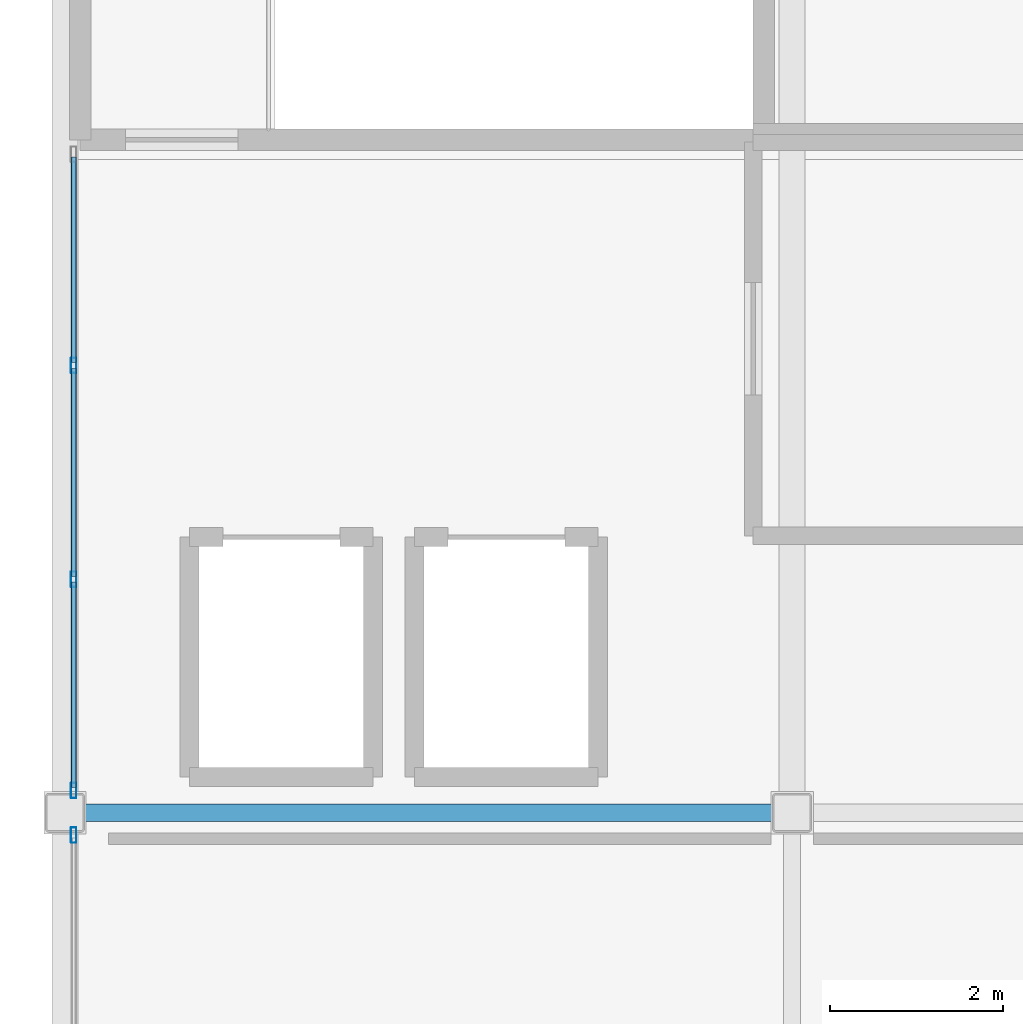
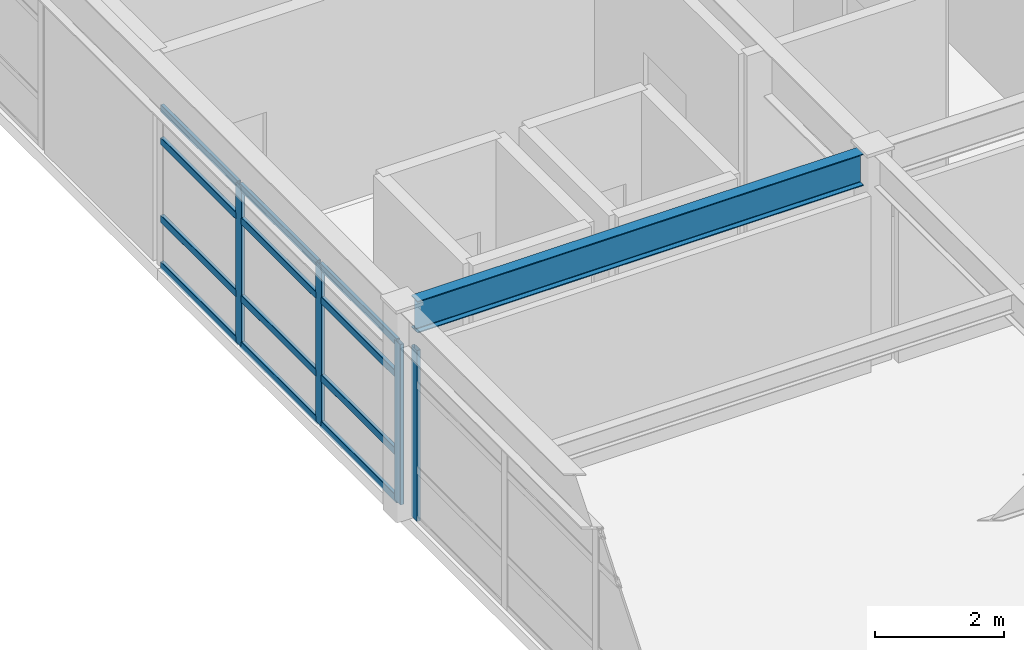
# One storey, part 11 of 34: 16 members, 1 beam, 2 elements without a shape of their own.
"""IFC4 building model written with IfcOpenShell, lengths in metres."""

import ifcopenshell
import ifcopenshell.guid

model = None  # the IFC model being written
_history = None  # IfcOwnerHistory: only IFC2X3 demands one
_inside = {}  # id of a spatial element -> (the spatial element, [elements in it])
_under = {}  # id of a project, library or spatial element -> (it, [spatial elements below it])
_declared = {}  # id of a project -> (the project, [libraries it declares])
_typed = {}  # id of a type object -> (the type object, [elements of that type])
_made_of = {}  # id of a material, layer set ... -> (it, [elements and type objects made of it])


def new_model(schema):
    """Start an empty IFC model of exactly this schema.

    Asked for "IFC4X3", IfcOpenShell would pick the latest addendum, in which some entities
    have other attributes; the version numbers below select the first issue.
    IFC2X3 requires an IfcOwnerHistory on every rooted entity: one is made here for all.
    """
    global model, _history
    if schema == "IFC4X3":
        model = ifcopenshell.file(schema_version=(4, 3, 0, 0))
    else:
        model = ifcopenshell.file(schema=schema)
    _inside.clear()
    _under.clear()
    _declared.clear()
    _typed.clear()
    _made_of.clear()
    _history = None
    if model.schema == "IFC2X3":
        org = make("IfcOrganization", Name="unknown")
        user = make(
            "IfcPersonAndOrganization",
            ThePerson=make("IfcPerson", FamilyName="unknown"),
            TheOrganization=org,
        )
        app = make(
            "IfcApplication",
            ApplicationDeveloper=org,
            Version="unknown",
            ApplicationFullName="unknown",
            ApplicationIdentifier="unknown",
        )
        _history = make(
            "IfcOwnerHistory",
            OwningUser=user,
            OwningApplication=app,
            ChangeAction="ADDED",
            CreationDate=0,
        )
    return model


def make(cls, **values):
    """One entity of the class cls with the attributes given. An attribute that is None is left unset."""
    return model.create_entity(
        cls, **{name: value for name, value in values.items() if value is not None}
    )


def rooted(cls, **values):
    """An entity with a GlobalId (a new one), such as an element, a storey or a relation."""
    return make(cls, GlobalId=ifcopenshell.guid.new(), OwnerHistory=_history, **values)


def si_unit(unit_type, name, prefix=None):
    """IfcSIUnit, for example si_unit("LENGTHUNIT", "METRE", prefix="MILLI")."""
    return make("IfcSIUnit", UnitType=unit_type, Prefix=prefix, Name=name)


def assignment(units):
    """IfcUnitAssignment: the units of a project."""
    return None if units is None else make("IfcUnitAssignment", Units=units)


def point(xyz):
    """IfcCartesianPoint."""
    return None if xyz is None else make("IfcCartesianPoint", Coordinates=xyz)


def direction(xyz):
    """IfcDirection."""
    return None if xyz is None else make("IfcDirection", DirectionRatios=xyz)


def frame(location, z_axis=None, x_axis=None):
    """IfcAxis2Placement3D, a coordinate frame: its origin and axes. An axis left out is left unset."""
    return make(
        "IfcAxis2Placement3D",
        Location=point(location),
        Axis=direction(z_axis),
        RefDirection=direction(x_axis),
    )


def frame_2d(location, x_axis=None):
    """IfcAxis2Placement2D, a coordinate frame in the plane: its origin and x axis."""
    return make(
        "IfcAxis2Placement2D", Location=point(location), RefDirection=direction(x_axis)
    )


def origin():
    """The frame at (0, 0, 0) with its axes left unset."""
    return frame((0.0, 0.0, 0.0))


def origin_2d():
    """The frame at (0, 0) in the plane with its x axis left unset."""
    return frame_2d((0.0, 0.0))


def place(relative_to, where):
    """IfcLocalPlacement: puts the frame where relative to a parent placement (None: the world)."""
    return make(
        "IfcLocalPlacement", PlacementRelTo=relative_to, RelativePlacement=where
    )


def context(
    kind, dimensions, precision=None, world=None, true_north=None, identifier=None
):
    """IfcGeometricRepresentationContext, for example the 3D "Model" context."""
    return make(
        "IfcGeometricRepresentationContext",
        ContextIdentifier=identifier,
        ContextType=kind,
        CoordinateSpaceDimension=dimensions,
        Precision=precision,
        WorldCoordinateSystem=world,
        TrueNorth=true_north,
    )


def subcontext(parent, identifier, kind, view, scale=None):
    """IfcGeometricRepresentationSubContext, for example "Body" below "Model"."""
    return make(
        "IfcGeometricRepresentationSubContext",
        ContextIdentifier=identifier,
        ContextType=kind,
        ParentContext=parent,
        TargetScale=scale,
        TargetView=view,
    )


def project(units=None, contexts=None):
    """IfcProject with its units and contexts."""
    return rooted(
        "IfcProject",
        Name="project",
        RepresentationContexts=contexts,
        UnitsInContext=assignment(units),
    )


def spatial(cls, under=None, at=None, **own):
    """A site, building, storey or space (cls), placed at a placement, below another one or the project."""
    s = rooted(cls, ObjectPlacement=at, **own)
    if under is not None:
        _under.setdefault(under.id(), (under, []))[1].append(s)
    return s


def profile(cls, at=None, kind="AREA", **sizes):
    """A parametric profile (cls). Its sizes go by their IFC names, for example OverallWidth=200.0."""
    return make(cls, ProfileType=kind, Position=at, **sizes)


def hollow_rectangle(**sizes):
    """IfcRectangleHollowProfileDef."""
    return profile("IfcRectangleHollowProfileDef", **sizes)


def i_section(**sizes):
    """IfcIShapeProfileDef."""
    return profile("IfcIShapeProfileDef", **sizes)


def extrude(swept, where, along, depth):
    """IfcExtrudedAreaSolid: the profile swept, set in the frame where, extruded along a direction by depth."""
    return make(
        "IfcExtrudedAreaSolid",
        SweptArea=swept,
        Position=where,
        ExtrudedDirection=direction(along),
        Depth=depth,
    )


def shape(context_of_items, identifier, shape_type, items):
    """IfcShapeRepresentation: the items that make up one representation, for example the "Body"."""
    return make(
        "IfcShapeRepresentation",
        ContextOfItems=context_of_items,
        RepresentationIdentifier=identifier,
        RepresentationType=shape_type,
        Items=items,
    )


def material(Name=None, Category=None):
    """IfcMaterial."""
    return make("IfcMaterial", Name=Name, Category=Category)


def layer(
    of_material, thickness, ventilated=None, Name=None, Category=None, Priority=None
):
    """IfcMaterialLayer: one layer of a wall or slab, of a material (None: an air gap)."""
    return make(
        "IfcMaterialLayer",
        Material=of_material,
        LayerThickness=thickness,
        IsVentilated=ventilated,
        Name=Name,
        Category=Category,
        Priority=Priority,
    )


def layer_set(layers, Name=None):
    """IfcMaterialLayerSet."""
    return make("IfcMaterialLayerSet", MaterialLayers=layers, LayerSetName=Name)


def material_profile(
    of_material, cross_section, Name=None, Category=None, Priority=None
):
    """IfcMaterialProfile: a cross section and its material."""
    return make(
        "IfcMaterialProfile",
        Name=Name,
        Material=of_material,
        Profile=cross_section,
        Priority=Priority,
        Category=Category,
    )


def profile_set(profiles, Name=None, composite=None):
    """IfcMaterialProfileSet."""
    return make(
        "IfcMaterialProfileSet",
        Name=Name,
        MaterialProfiles=profiles,
        CompositeProfile=composite,
    )


def made_of(thing, what):
    """Note that an element or type object is made of a material, layer set ...; save() writes the relation."""
    if what is not None:
        _made_of.setdefault(what.id(), (what, []))[1].append(thing)
    return thing


def type_object(cls, material=None, **own):
    """A type object (cls), such as IfcWallType, which elements share."""
    return made_of(rooted(cls, **own), material)


def element(
    cls,
    number,
    at=None,
    inside=None,
    cuts=None,
    type_object=None,
    material=None,
    context=None,
    identifier="Body",
    shape_type=None,
    held_by="IfcProductDefinitionShape",
    body=None,
    shapes=None,
    **own,
):
    """One element of the class cls, such as IfcWall. Its Tag is "e" and its number.

    at: its placement. inside: the storey or other place that contains it. cuts: it is an
    opening in that element (IfcRelVoidsElement). A single representation is given by context,
    identifier, shape_type and body (its items); several are given by shapes. held_by: the class
    of the entity that holds the representations. save() writes the other relations.
    """
    e = rooted(cls, Tag="e%d" % number, ObjectPlacement=at, **own)
    if body is not None:
        shapes = [shape(context, identifier, shape_type, body)]
    if shapes is not None:
        e.Representation = make(held_by, Representations=shapes)
    if inside is not None:
        _inside.setdefault(inside.id(), (inside, []))[1].append(e)
    if cuts is not None:
        rooted(
            "IfcRelVoidsElement", RelatingBuildingElement=cuts, RelatedOpeningElement=e
        )
    if type_object is not None:
        _typed.setdefault(type_object.id(), (type_object, []))[1].append(e)
    return made_of(e, material)


def aggregate(whole, parts):
    """IfcRelAggregates: a whole, such as a stair, and the parts it consists of."""
    return rooted("IfcRelAggregates", RelatingObject=whole, RelatedObjects=parts)


def save(model, path):
    """Write the relations noted so far, then the file.

    IfcRelAggregates (storeys below a building ...), IfcRelContainedInSpatialStructure (elements
    in a storey), IfcRelDefinesByType, IfcRelAssociatesMaterial and IfcRelDeclares: one each for
    every whole, place, type object, material and project.
    """
    for whole, parts in _under.values():
        aggregate(whole, parts)
    for where, things in _inside.values():
        rooted(
            "IfcRelContainedInSpatialStructure",
            RelatedElements=things,
            RelatingStructure=where,
        )
    for kind, things in _typed.values():
        rooted("IfcRelDefinesByType", RelatedObjects=things, RelatingType=kind)
    for what, things in _made_of.values():
        rooted("IfcRelAssociatesMaterial", RelatedObjects=things, RelatingMaterial=what)
    for by, libraries in _declared.values():
        rooted("IfcRelDeclares", RelatingContext=by, RelatedDefinitions=libraries)
    model.write(path)


model = new_model("IFC4")

# Units and contexts
model_context = context("Model", 3, precision=1e-05, world=origin(), true_north=direction((0.0, 1.0)))
body_context = subcontext(model_context, "Body", "Model", "MODEL_VIEW")
ifc_project = project(units=[si_unit("LENGTHUNIT", "METRE"), si_unit("AREAUNIT", "SQUARE_METRE"), si_unit("VOLUMEUNIT", "CUBIC_METRE"), si_unit("PLANEANGLEUNIT", "RADIAN"), si_unit("MASSUNIT", "GRAM", prefix="KILO")], contexts=[model_context])

# Site, building, storey
site_placement = place(None, origin())
site = spatial("IfcSite", under=ifc_project, at=site_placement, CompositionType="ELEMENT")
building_placement = place(site_placement, origin())
building = spatial("IfcBuilding", under=site, at=building_placement, Name="Kazehara Bluff Congress Hotel", CompositionType="ELEMENT")
storey_placement = place(building_placement, frame((0.0, 0.0, 46.199951171875)))
storey = spatial("IfcBuildingStorey", under=building, at=storey_placement, Name="L11", CompositionType="ELEMENT", Elevation=46.199951171875)

# Curtain wall, member
ifc_material_1 = material(Name="Anodised aluminium", Category="aluminium")
ifc_layer_1 = layer(ifc_material_1, 0.159912109375)
ifc_layer_set_1 = layer_set([ifc_layer_1], Name="Anodised aluminium")
curtain_wall_type_1 = type_object("IfcCurtainWallType", Name="TP-CW-213", PredefinedType="NOTDEFINED", material=ifc_layer_set_1)
curtain_wall_1_placement = place(storey_placement, origin())
curtain_wall_1 = element("IfcCurtainWall", 1, at=curtain_wall_1_placement, inside=storey, type_object=curtain_wall_type_1, Name="L11 curtain wall CW-213 CW-ENC-V5-L11-14380-3645", PredefinedType="NOTDEFINED")
ifc_material_2 = material(Name="Anodised aluminium", Category="aluminium")
ifc_material_profile_1 = material_profile(ifc_material_2, hollow_rectangle(XDim=0.06494140625, YDim=0.179931640625, WallThickness=0.00390625, InnerFilletRadius=0.00390625, OuterFilletRadius=0.008056640625, at=origin_2d()))
ifc_profile_set_1 = profile_set([ifc_material_profile_1], Name="Anodised aluminium")
member_type_1 = type_object("IfcMemberType", Name="TP-CWM-02", PredefinedType="MULLION", material=ifc_profile_set_1)
member_1_placement = place(storey_placement, frame((143.800048828125, 40.642578125, 0.0), z_axis=(0.0, 0.0, 1.0), x_axis=(-1.0, 0.0, 0.0)))
member_1 = element("IfcMember", 2, at=member_1_placement, type_object=member_type_1, Name="CW-213 mullion 4", PredefinedType="MULLION", context=body_context, shape_type="SweptSolid", body=[
    extrude(hollow_rectangle(XDim=0.06494140625, YDim=0.179931640625, WallThickness=0.00390625, InnerFilletRadius=0.00390625, OuterFilletRadius=0.008056640625, at=origin_2d()), origin(), (0.0, 0.0, 1.0), 3.22509765625),
])
aggregate(curtain_wall_1, [member_1])

# Curtain wall, members
ifc_material_3 = material(Name="Anodised aluminium", Category="aluminium")
ifc_layer_2 = layer(ifc_material_3, 0.159912109375)
ifc_layer_set_2 = layer_set([ifc_layer_2], Name="Anodised aluminium")
curtain_wall_type_2 = type_object("IfcCurtainWallType", Name="TP-CW-214", PredefinedType="NOTDEFINED", material=ifc_layer_set_2)
curtain_wall_2_placement = place(storey_placement, origin())
curtain_wall_2 = element("IfcCurtainWall", 3, at=curtain_wall_2_placement, inside=storey, type_object=curtain_wall_type_2, Name="L11 curtain wall CW-214 CW-ENC-V5-L11-14380-4483", PredefinedType="NOTDEFINED")
member_2_placement = place(storey_placement, frame((143.800048828125, 41.157470703125, 0.0), z_axis=(0.0, 0.0, 1.0), x_axis=(-1.0, 0.0, 0.0)))
member_2 = element("IfcMember", 4, at=member_2_placement, type_object=member_type_1, Name="CW-214 mullion 1", PredefinedType="MULLION", context=body_context, shape_type="SweptSolid", body=[
    extrude(hollow_rectangle(XDim=0.06494140625, YDim=0.179931640625, WallThickness=0.00390625, InnerFilletRadius=0.00390625, OuterFilletRadius=0.008056640625, at=origin_2d()), origin(), (0.0, 0.0, 1.0), 3.025146484375),
])
member_3_placement = place(storey_placement, frame((143.800048828125, 43.5966796875, 0.0), z_axis=(0.0, 0.0, 1.0), x_axis=(-1.0, 0.0, 0.0)))
member_3 = element("IfcMember", 5, at=member_3_placement, type_object=member_type_1, Name="CW-214 mullion 2", PredefinedType="MULLION", context=body_context, shape_type="SweptSolid", body=[
    extrude(hollow_rectangle(XDim=0.06494140625, YDim=0.179931640625, WallThickness=0.00390625, InnerFilletRadius=0.00390625, OuterFilletRadius=0.008056640625, at=origin_2d()), origin(), (0.0, 0.0, 1.0), 3.025146484375),
])
member_4_placement = place(storey_placement, frame((143.800048828125, 46.068359375, 0.0), z_axis=(0.0, 0.0, 1.0), x_axis=(-1.0, 0.0, 0.0)))
member_4 = element("IfcMember", 6, at=member_4_placement, type_object=member_type_1, Name="CW-214 mullion 3", PredefinedType="MULLION", context=body_context, shape_type="SweptSolid", body=[
    extrude(hollow_rectangle(XDim=0.06494140625, YDim=0.179931640625, WallThickness=0.00390625, InnerFilletRadius=0.00390625, OuterFilletRadius=0.008056640625, at=origin_2d()), origin(), (0.0, 0.0, 1.0), 3.025146484375),
])
ifc_material_4 = material(Name="Anodised aluminium", Category="aluminium")
ifc_material_profile_2 = material_profile(ifc_material_4, hollow_rectangle(XDim=0.06494140625, YDim=0.139892578125, WallThickness=0.00390625, InnerFilletRadius=0.00390625, OuterFilletRadius=0.008056640625, at=origin_2d()))
ifc_profile_set_2 = profile_set([ifc_material_profile_2], Name="Anodised aluminium")
member_type_2 = type_object("IfcMemberType", Name="TP-CWT-02", PredefinedType="USERDEFINED", material=ifc_profile_set_2)
member_5_placement = place(storey_placement, frame((143.800048828125, 41.18994140625, 0.032470703125), z_axis=(0.0, 1.0, 0.0), x_axis=(-1.0, 0.0, 0.0)))
member_5 = element("IfcMember", 7, at=member_5_placement, type_object=member_type_2, Name="CW-214 transom 1.1", ObjectType="TRANSOM", PredefinedType="USERDEFINED", context=body_context, shape_type="SweptSolid", body=[
    extrude(hollow_rectangle(XDim=0.06494140625, YDim=0.139892578125, WallThickness=0.00390625, InnerFilletRadius=0.00390625, OuterFilletRadius=0.008056640625, at=origin_2d()), origin(), (0.0, 0.0, 1.0), 2.374267578125),
])
member_6_placement = place(storey_placement, frame((143.800048828125, 41.18994140625, 0.91015625), z_axis=(0.0, 1.0, 0.0), x_axis=(-1.0, 0.0, 0.0)))
member_6 = element("IfcMember", 8, at=member_6_placement, type_object=member_type_2, Name="CW-214 transom 1.2", ObjectType="TRANSOM", PredefinedType="USERDEFINED", context=body_context, shape_type="SweptSolid", body=[
    extrude(hollow_rectangle(XDim=0.06494140625, YDim=0.139892578125, WallThickness=0.00390625, InnerFilletRadius=0.00390625, OuterFilletRadius=0.008056640625, at=origin_2d()), origin(), (0.0, 0.0, 1.0), 2.374267578125),
])
member_7_placement = place(storey_placement, frame((143.800048828125, 41.18994140625, 2.375), z_axis=(0.0, 1.0, 0.0), x_axis=(-1.0, 0.0, 0.0)))
member_7 = element("IfcMember", 9, at=member_7_placement, type_object=member_type_2, Name="CW-214 transom 1.3", ObjectType="TRANSOM", PredefinedType="USERDEFINED", context=body_context, shape_type="SweptSolid", body=[
    extrude(hollow_rectangle(XDim=0.06494140625, YDim=0.139892578125, WallThickness=0.00390625, InnerFilletRadius=0.00390625, OuterFilletRadius=0.008056640625, at=origin_2d()), origin(), (0.0, 0.0, 1.0), 2.374267578125),
])
member_8_placement = place(storey_placement, frame((143.800048828125, 41.18994140625, 2.992431640625), z_axis=(0.0, 1.0, 0.0), x_axis=(-1.0, 0.0, 0.0)))
member_8 = element("IfcMember", 10, at=member_8_placement, type_object=member_type_2, Name="CW-214 transom 1.4", ObjectType="TRANSOM", PredefinedType="USERDEFINED", context=body_context, shape_type="SweptSolid", body=[
    extrude(hollow_rectangle(XDim=0.06494140625, YDim=0.139892578125, WallThickness=0.00390625, InnerFilletRadius=0.00390625, OuterFilletRadius=0.008056640625, at=origin_2d()), origin(), (0.0, 0.0, 1.0), 2.374267578125),
])
member_9_placement = place(storey_placement, frame((143.800048828125, 43.629150390625, 0.032470703125), z_axis=(0.0, 1.0, 0.0), x_axis=(-1.0, 0.0, 0.0)))
member_9 = element("IfcMember", 11, at=member_9_placement, type_object=member_type_2, Name="CW-214 transom 2.1", ObjectType="TRANSOM", PredefinedType="USERDEFINED", context=body_context, shape_type="SweptSolid", body=[
    extrude(hollow_rectangle(XDim=0.06494140625, YDim=0.139892578125, WallThickness=0.00390625, InnerFilletRadius=0.00390625, OuterFilletRadius=0.008056640625, at=origin_2d()), origin(), (0.0, 0.0, 1.0), 2.40673828125),
])
member_10_placement = place(storey_placement, frame((143.800048828125, 43.629150390625, 0.91015625), z_axis=(0.0, 1.0, 0.0), x_axis=(-1.0, 0.0, 0.0)))
member_10 = element("IfcMember", 12, at=member_10_placement, type_object=member_type_2, Name="CW-214 transom 2.2", ObjectType="TRANSOM", PredefinedType="USERDEFINED", context=body_context, shape_type="SweptSolid", body=[
    extrude(hollow_rectangle(XDim=0.06494140625, YDim=0.139892578125, WallThickness=0.00390625, InnerFilletRadius=0.00390625, OuterFilletRadius=0.008056640625, at=origin_2d()), origin(), (0.0, 0.0, 1.0), 2.40673828125),
])
member_11_placement = place(storey_placement, frame((143.800048828125, 43.629150390625, 2.375), z_axis=(0.0, 1.0, 0.0), x_axis=(-1.0, 0.0, 0.0)))
member_11 = element("IfcMember", 13, at=member_11_placement, type_object=member_type_2, Name="CW-214 transom 2.3", ObjectType="TRANSOM", PredefinedType="USERDEFINED", context=body_context, shape_type="SweptSolid", body=[
    extrude(hollow_rectangle(XDim=0.06494140625, YDim=0.139892578125, WallThickness=0.00390625, InnerFilletRadius=0.00390625, OuterFilletRadius=0.008056640625, at=origin_2d()), origin(), (0.0, 0.0, 1.0), 2.40673828125),
])
member_12_placement = place(storey_placement, frame((143.800048828125, 43.629150390625, 2.992431640625), z_axis=(0.0, 1.0, 0.0), x_axis=(-1.0, 0.0, 0.0)))
member_12 = element("IfcMember", 14, at=member_12_placement, type_object=member_type_2, Name="CW-214 transom 2.4", ObjectType="TRANSOM", PredefinedType="USERDEFINED", context=body_context, shape_type="SweptSolid", body=[
    extrude(hollow_rectangle(XDim=0.06494140625, YDim=0.139892578125, WallThickness=0.00390625, InnerFilletRadius=0.00390625, OuterFilletRadius=0.008056640625, at=origin_2d()), origin(), (0.0, 0.0, 1.0), 2.40673828125),
])
member_13_placement = place(storey_placement, frame((143.800048828125, 46.100830078125, 0.032470703125), z_axis=(0.0, 1.0, 0.0), x_axis=(-1.0, 0.0, 0.0)))
member_13 = element("IfcMember", 15, at=member_13_placement, type_object=member_type_2, Name="CW-214 transom 3.1", ObjectType="TRANSOM", PredefinedType="USERDEFINED", context=body_context, shape_type="SweptSolid", body=[
    extrude(hollow_rectangle(XDim=0.06494140625, YDim=0.139892578125, WallThickness=0.00390625, InnerFilletRadius=0.00390625, OuterFilletRadius=0.008056640625, at=origin_2d()), origin(), (0.0, 0.0, 1.0), 2.374267578125),
])
member_14_placement = place(storey_placement, frame((143.800048828125, 46.100830078125, 0.91015625), z_axis=(0.0, 1.0, 0.0), x_axis=(-1.0, 0.0, 0.0)))
member_14 = element("IfcMember", 16, at=member_14_placement, type_object=member_type_2, Name="CW-214 transom 3.2", ObjectType="TRANSOM", PredefinedType="USERDEFINED", context=body_context, shape_type="SweptSolid", body=[
    extrude(hollow_rectangle(XDim=0.06494140625, YDim=0.139892578125, WallThickness=0.00390625, InnerFilletRadius=0.00390625, OuterFilletRadius=0.008056640625, at=origin_2d()), origin(), (0.0, 0.0, 1.0), 2.374267578125),
])
member_15_placement = place(storey_placement, frame((143.800048828125, 46.100830078125, 2.375), z_axis=(0.0, 1.0, 0.0), x_axis=(-1.0, 0.0, 0.0)))
member_15 = element("IfcMember", 17, at=member_15_placement, type_object=member_type_2, Name="CW-214 transom 3.3", ObjectType="TRANSOM", PredefinedType="USERDEFINED", context=body_context, shape_type="SweptSolid", body=[
    extrude(hollow_rectangle(XDim=0.06494140625, YDim=0.139892578125, WallThickness=0.00390625, InnerFilletRadius=0.00390625, OuterFilletRadius=0.008056640625, at=origin_2d()), origin(), (0.0, 0.0, 1.0), 2.374267578125),
])
member_16_placement = place(storey_placement, frame((143.800048828125, 46.100830078125, 2.992431640625), z_axis=(0.0, 1.0, 0.0), x_axis=(-1.0, 0.0, 0.0)))
member_16 = element("IfcMember", 18, at=member_16_placement, type_object=member_type_2, Name="CW-214 transom 3.4", ObjectType="TRANSOM", PredefinedType="USERDEFINED", context=body_context, shape_type="SweptSolid", body=[
    extrude(hollow_rectangle(XDim=0.06494140625, YDim=0.139892578125, WallThickness=0.00390625, InnerFilletRadius=0.00390625, OuterFilletRadius=0.008056640625, at=origin_2d()), origin(), (0.0, 0.0, 1.0), 2.374267578125),
])
aggregate(curtain_wall_2, [member_2, member_3, member_4, member_5, member_6, member_7, member_8, member_9, member_10, member_11, member_12, member_13, member_14, member_15, member_16])

# Beam
ifc_material_5 = material(Name="Steel SN490B", Category="steel")
ifc_material_profile_3 = material_profile(ifc_material_5, i_section(OverallWidth=0.199951171875, OverallDepth=0.60009765625, WebThickness=0.010986328125, FlangeThickness=0.01708984375, FilletRadius=0.012939453125, at=origin_2d()))
ifc_profile_set_3 = profile_set([ifc_material_profile_3], Name="Steel SN490B")
beam_type = type_object("IfcBeamType", Name="TP-G-02", PredefinedType="BEAM", material=ifc_profile_set_3)
beam_placement = place(storey_placement, frame((143.925048828125, 40.89990234375, 3.650146484375), z_axis=(1.0, 0.0, 0.0), x_axis=(0.0, 1.0, 0.0)))
element("IfcBeam", 19, at=beam_placement, inside=storey, type_object=beam_type, Name="L11 girder G-02 34", PredefinedType="BEAM", context=body_context, shape_type="SweptSolid", body=[
    extrude(i_section(OverallWidth=0.199951171875, OverallDepth=0.60009765625, WebThickness=0.010986328125, FlangeThickness=0.01708984375, FilletRadius=0.012939453125, at=origin_2d()), origin(), (0.0, 0.0, 1.0), 7.949951171875),
])

save(model, "model.ifc")
